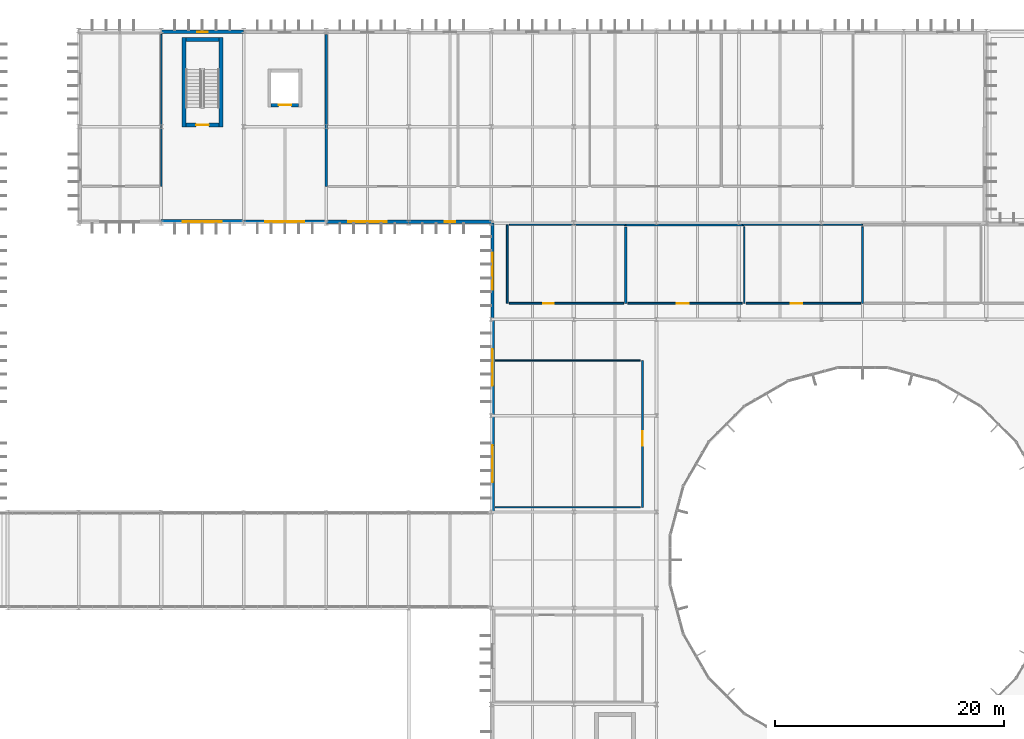
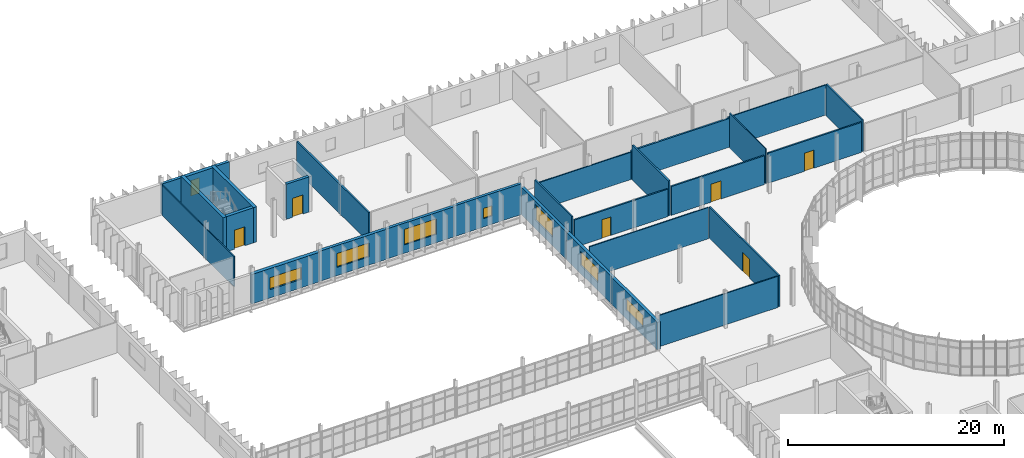
# One storey, part 98 of 119: 28 walls, 8 windows, 6 doors, 14 openings.
"""IFC4 building model written with IfcOpenShell, lengths in metres."""

from ifc_helpers import new_model, si_unit, direction, frame, frame_2d, origin, place, context, subcontext, project, spatial, rectangle, extrude, material, layer, layer_set, type_object, element, fill, save


model = new_model("IFC4")

# Units and contexts
model_context = context("Model", 3, precision=1e-05, world=origin(), true_north=direction((0.0, 1.0)))
body_context = subcontext(model_context, "Body", "Model", "MODEL_VIEW")
ifc_project = project(units=[si_unit("LENGTHUNIT", "METRE"), si_unit("AREAUNIT", "SQUARE_METRE"), si_unit("VOLUMEUNIT", "CUBIC_METRE"), si_unit("PLANEANGLEUNIT", "RADIAN"), si_unit("MASSUNIT", "GRAM", prefix="KILO")], contexts=[model_context])

# Site, building, storey
site_placement = place(None, origin())
site = spatial("IfcSite", under=ifc_project, at=site_placement, CompositionType="ELEMENT")
building_placement = place(site_placement, origin())
building = spatial("IfcBuilding", under=site, at=building_placement, Name="Qelthora Terrace Specialist Clinic", CompositionType="ELEMENT")
storey_placement = place(building_placement, frame((0.0, 0.0, 4.800048828125)))
storey = spatial("IfcBuildingStorey", under=building, at=storey_placement, Name="L01", CompositionType="ELEMENT", Elevation=4.800048828125)

# Wall, opening, door
ifc_material_1 = material(Name="Concrete C40/50", Category="concrete")
ifc_layer_1 = layer(ifc_material_1, 0.300048828125)
ifc_layer_set_1 = layer_set([ifc_layer_1], Name="Concrete C40/50")
wall_type_1 = type_object("IfcWallType", Name="WAL-CORE-300-C40", PredefinedType="SHEAR", material=ifc_layer_set_1)
wall_1_placement = place(storey_placement, frame((74.39990234375, 102.699951171875, 0.0), z_axis=(0.0, 0.0, 1.0), x_axis=(1.0, 0.0, 0.0)))
wall_1 = element("IfcWall", 1, at=wall_1_placement, inside=storey, type_object=wall_type_1, Name="Lift PL-04 L01 south shaft wall", PredefinedType="SHEAR", context=body_context, shape_type="SweptSolid", body=[
    extrude(rectangle(XDim=2.400146484375, YDim=0.300048828125, at=frame_2d((1.2001953125, 0.0))), origin(), (0.0, 0.0, 1.0), 3.969970703125),
])
opening_1_placement = place(wall_1_placement, frame((0.64990234375, 0.0, 0.0)))
opening_1 = element("IfcOpeningElement", 2, at=opening_1_placement, cuts=wall_1, Name="Opening LD-PL-04-L01", PredefinedType="OPENING", context=body_context, shape_type="SweptSolid", body=[
    extrude(rectangle(XDim=1.10009765625, YDim=2.14990234375, at=frame_2d((0.550048828125, 1.074951171875))), frame((0.0, 0.159912109375, 0.0), z_axis=(0.0, -1.0, 0.0), x_axis=(1.0, 0.0, 0.0)), (0.0, 0.0, 1.0), 0.320068359375),
])
ifc_material_2 = material(Name="Steel S355", Category="steel")
door_type_1 = type_object("IfcDoorType", Name="DOR-LIFT-1100X2150", OperationType="NOTDEFINED", PredefinedType="DOOR", material=ifc_material_2)
door_1_placement = place(opening_1_placement, origin())
door_1 = element("IfcDoor", 3, at=door_1_placement, inside=storey, type_object=door_type_1, Name="Lift landing sliding door LD-PL-04-L01", OperationType="DOUBLE_DOOR_SLIDING", OverallHeight=2.14990234375, OverallWidth=1.10009765625, PredefinedType="DOOR", context=body_context, shape_type="SweptSolid", body=[
    extrude(rectangle(XDim=1.10009765625, YDim=2.14990234375, at=frame_2d((0.550048828125, 1.074951171875))), frame((0.0, 0.02490234375, 0.0), z_axis=(0.0, -1.0, 0.0), x_axis=(1.0, 0.0, 0.0)), (0.0, 0.0, 1.0), 0.050048828125),
])
fill(opening_1, door_1)

# Walls
ifc_layer_2 = layer(ifc_material_1, 0.35009765625)
ifc_layer_set_2 = layer_set([ifc_layer_2], Name="Concrete C40/50")
wall_type_2 = type_object("IfcWallType", Name="WAL-CORE-350-C40", PredefinedType="SHEAR", material=ifc_layer_set_2)
for number, where, z_axis, x_axis, name in (
    (4, (66.77490234375, 100.800048828125, 0.0), (0.0, 0.0, 1.0), (0.0, 1.0, 0.0), "ST-07 L01 west shear core wall"),
    (5, (70.02490234375, 100.800048828125, 0.0), (0.0, 0.0, 1.0), (0.0, 1.0, 0.0), "ST-07 L01 east shear core wall"),
):
    element("IfcWall", number, at=place(storey_placement, frame(where, z_axis=z_axis, x_axis=x_axis)), inside=storey, type_object=wall_type_2, Name=name, PredefinedType="SHEAR", context=body_context, shape_type="SweptSolid", body=[
        extrude(rectangle(XDim=7.800048828125, YDim=0.35009765625, at=frame_2d((3.89990234375, 0.0))), origin(), (0.0, 0.0, 1.0), 3.969970703125),
    ])
wall_2_placement = place(storey_placement, frame((66.949951171875, 108.425048828125, 0.0), z_axis=(0.0, 0.0, 1.0), x_axis=(1.0, 0.0, 0.0)))
element("IfcWall", 6, at=wall_2_placement, inside=storey, type_object=wall_type_2, Name="ST-07 L01 north shear core wall", PredefinedType="SHEAR", context=body_context, shape_type="SweptSolid", body=[
    extrude(rectangle(XDim=2.900146484375, YDim=0.35009765625, at=frame_2d((1.4501953125, 0.0))), origin(), (0.0, 0.0, 1.0), 3.969970703125),
])

# Wall, opening, door
wall_3_placement = place(storey_placement, frame((66.949951171875, 100.97509765625, 0.0), z_axis=(0.0, 0.0, 1.0), x_axis=(1.0, 0.0, 0.0)))
wall_3 = element("IfcWall", 7, at=wall_3_placement, inside=storey, type_object=wall_type_2, Name="ST-07 L01 south shear core wall", PredefinedType="SHEAR", context=body_context, shape_type="SweptSolid", body=[
    extrude(rectangle(XDim=2.900146484375, YDim=0.35009765625, at=frame_2d((1.4501953125, 0.0))), origin(), (0.0, 0.0, 1.0), 3.969970703125),
])
opening_2_placement = place(wall_3_placement, frame((0.89990234375, 0.0, 0.0)))
opening_2 = element("IfcOpeningElement", 8, at=opening_2_placement, cuts=wall_3, Name="Opening D-ST-07-L01", PredefinedType="OPENING", context=body_context, shape_type="SweptSolid", body=[
    extrude(rectangle(XDim=1.10009765625, YDim=2.14990234375, at=frame_2d((0.550048828125, 1.074951171875))), frame((0.0, 0.18505859375, 0.0), z_axis=(0.0, -1.0, 0.0), x_axis=(1.0, 0.0, 0.0)), (0.0, 0.0, 1.0), 0.3701171875),
])
door_type_2 = type_object("IfcDoorType", Name="DOR-STAIR-1100X2150", OperationType="NOTDEFINED", PredefinedType="DOOR", material=ifc_material_2)
door_2_placement = place(opening_2_placement, origin())
door_2 = element("IfcDoor", 9, at=door_2_placement, inside=storey, type_object=door_type_2, Name="Stair fire door D-ST-07-L01", OperationType="SINGLE_SWING_RIGHT", OverallHeight=2.14990234375, OverallWidth=1.10009765625, PredefinedType="DOOR", context=body_context, shape_type="SweptSolid", body=[
    extrude(rectangle(XDim=1.10009765625, YDim=2.14990234375, at=frame_2d((0.550048828125, 1.074951171875))), frame((0.0, 0.02490234375, 0.0), z_axis=(0.0, -1.0, 0.0), x_axis=(1.0, 0.0, 0.0)), (0.0, 0.0, 1.0), 0.050048828125),
])
fill(opening_2, door_2)

# Wall, opening, window
ifc_material_3 = material(Name="Precast concrete C40/50", Category="concrete")
ifc_layer_3 = layer(ifc_material_3, 0.280029296875)
ifc_layer_set_3 = layer_set([ifc_layer_3], Name="Precast concrete C40/50")
wall_type_3 = type_object("IfcWallType", Name="WAL-EXT-280-PC40", PredefinedType="SOLIDWALL", material=ifc_layer_set_3)
wall_4_placement = place(storey_placement, frame((93.719970703125, 84.0, 0.0), z_axis=(0.0, 0.0, 1.0), x_axis=(0.0, 1.0, 0.0)))
wall_4 = element("IfcWall", 10, at=wall_4_placement, inside=storey, type_object=wall_type_3, Name="L01 external precast wall 148", PredefinedType="SOLIDWALL", context=body_context, shape_type="SweptSolid", body=[
    extrude(rectangle(XDim=8.39990234375, YDim=0.280029296875, at=frame_2d((4.199951171875, 0.0))), origin(), (0.0, 0.0, 1.0), 3.091064453125),
])
opening_3_placement = place(wall_4_placement, frame((2.60009765625, 0.0, 0.949951171875)))
opening_3 = element("IfcOpeningElement", 11, at=opening_3_placement, cuts=wall_4, Name="Opening WN-L01-120", PredefinedType="OPENING", context=body_context, shape_type="SweptSolid", body=[
    extrude(rectangle(XDim=3.199951171875, YDim=1.75, at=frame_2d((1.60009765625, 0.875))), frame((0.0, 0.14990234375, 0.0), z_axis=(0.0, -1.0, 0.0), x_axis=(1.0, 0.0, 0.0)), (0.0, 0.0, 1.0), 0.300048828125),
])
ifc_material_4 = material(Name="Low-E triple-silver insulating glass", Category="glass")
window_type_1 = type_object("IfcWindowType", Name="WIN-3200X1750", PartitioningType="DOUBLE_PANEL_VERTICAL", PredefinedType="WINDOW", material=ifc_material_4)
window_1_placement = place(opening_3_placement, origin())
window_1 = element("IfcWindow", 12, at=window_1_placement, inside=storey, type_object=window_type_1, Name="Clinical window WN-L01-120", OverallHeight=1.75, OverallWidth=3.199951171875, PartitioningType="SINGLE_PANEL", PredefinedType="WINDOW", context=body_context, shape_type="SweptSolid", body=[
    extrude(rectangle(XDim=3.199951171875, YDim=1.75, at=frame_2d((1.60009765625, 0.875))), frame((0.0, 0.030029296875, 0.0), z_axis=(0.0, -1.0, 0.0), x_axis=(1.0, 0.0, 0.0)), (0.0, 0.0, 1.0), 0.06005859375),
])
fill(opening_3, window_1)

wall_5_placement = place(storey_placement, frame((86.39990234375, 92.52001953125, 0.0), z_axis=(0.0, 0.0, 1.0), x_axis=(1.0, 0.0, 0.0)))
wall_5 = element("IfcWall", 13, at=wall_5_placement, inside=storey, type_object=wall_type_3, Name="L01 external precast wall 153", PredefinedType="SOLIDWALL", context=body_context, shape_type="SweptSolid", body=[
    extrude(rectangle(XDim=7.2001953125, YDim=0.280029296875, at=frame_2d((3.60009765625, 0.0))), origin(), (0.0, 0.0, 1.0), 3.475830078125),
])
opening_4_placement = place(wall_5_placement, frame((3.14990234375, 0.0, 0.949951171875)))
opening_4 = element("IfcOpeningElement", 14, at=opening_4_placement, cuts=wall_5, Name="Opening WN-L01-125", PredefinedType="OPENING", context=body_context, shape_type="SweptSolid", body=[
    extrude(rectangle(XDim=0.89990234375, YDim=1.14990234375, at=frame_2d((0.449951171875, 0.574951171875))), frame((0.0, 0.14990234375, 0.0), z_axis=(0.0, -1.0, 0.0), x_axis=(1.0, 0.0, 0.0)), (0.0, 0.0, 1.0), 0.300048828125),
])
window_type_2 = type_object("IfcWindowType", Name="WIN-900X1150", PartitioningType="SINGLE_PANEL", PredefinedType="WINDOW", material=ifc_material_4)
window_2_placement = place(opening_4_placement, origin())
window_2 = element("IfcWindow", 15, at=window_2_placement, inside=storey, type_object=window_type_2, Name="Clinical window WN-L01-125", OverallHeight=1.14990234375, OverallWidth=0.89990234375, PartitioningType="SINGLE_PANEL", PredefinedType="WINDOW", context=body_context, shape_type="SweptSolid", body=[
    extrude(rectangle(XDim=0.89990234375, YDim=1.14990234375, at=frame_2d((0.449951171875, 0.574951171875))), frame((0.0, 0.030029296875, 0.0), z_axis=(0.0, -1.0, 0.0), x_axis=(1.0, 0.0, 0.0)), (0.0, 0.0, 1.0), 0.06005859375),
])
fill(opening_4, window_2)

ifc_layer_4 = layer(ifc_material_3, 0.300048828125)
ifc_layer_set_4 = layer_set([ifc_layer_4], Name="Precast concrete C40/50")
wall_type_4 = type_object("IfcWallType", Name="WAL-EXT-300-PC40", PredefinedType="SOLIDWALL", material=ifc_layer_set_4)
wall_6_placement = place(storey_placement, frame((93.719970703125, 75.60009765625, 0.0), z_axis=(0.0, 0.0, 1.0), x_axis=(0.0, 1.0, 0.0)))
wall_6 = element("IfcWall", 16, at=wall_6_placement, inside=storey, type_object=wall_type_4, Name="L01 external precast wall 147", PredefinedType="SOLIDWALL", context=body_context, shape_type="SweptSolid", body=[
    extrude(rectangle(XDim=8.39990234375, YDim=0.300048828125, at=frame_2d((4.199951171875, 0.0))), origin(), (0.0, 0.0, 1.0), 3.091064453125),
])
opening_5_placement = place(wall_6_placement, frame((2.60009765625, 0.0, 0.949951171875)))
opening_5 = element("IfcOpeningElement", 17, at=opening_5_placement, cuts=wall_6, Name="Opening WN-L01-119", PredefinedType="OPENING", context=body_context, shape_type="SweptSolid", body=[
    extrude(rectangle(XDim=3.199951171875, YDim=1.550048828125, at=frame_2d((1.60009765625, 0.77490234375))), frame((0.0, 0.159912109375, 0.0), z_axis=(0.0, -1.0, 0.0), x_axis=(1.0, 0.0, 0.0)), (0.0, 0.0, 1.0), 0.320068359375),
])
window_type_3 = type_object("IfcWindowType", Name="WIN-3200X1550", PartitioningType="DOUBLE_PANEL_VERTICAL", PredefinedType="WINDOW", material=ifc_material_4)
window_3_placement = place(opening_5_placement, origin())
window_3 = element("IfcWindow", 18, at=window_3_placement, inside=storey, type_object=window_type_3, Name="Clinical window WN-L01-119", OverallHeight=1.550048828125, OverallWidth=3.199951171875, PartitioningType="SINGLE_PANEL", PredefinedType="WINDOW", context=body_context, shape_type="SweptSolid", body=[
    extrude(rectangle(XDim=3.199951171875, YDim=1.550048828125, at=frame_2d((1.60009765625, 0.77490234375))), frame((0.0, 0.030029296875, 0.0), z_axis=(0.0, -1.0, 0.0), x_axis=(1.0, 0.0, 0.0)), (0.0, 0.0, 1.0), 0.06005859375),
])
fill(opening_5, window_3)

wall_7_placement = place(storey_placement, frame((79.199951171875, 92.52001953125, 0.0), z_axis=(0.0, 0.0, 1.0), x_axis=(1.0, 0.0, 0.0)))
wall_7 = element("IfcWall", 19, at=wall_7_placement, inside=storey, type_object=wall_type_4, Name="L01 external precast wall 152", PredefinedType="SOLIDWALL", context=body_context, shape_type="SweptSolid", body=[
    extrude(rectangle(XDim=7.199951171875, YDim=0.300048828125, at=frame_2d((3.60009765625, 0.0))), origin(), (0.0, 0.0, 1.0), 3.405029296875),
])
opening_6_placement = place(wall_7_placement, frame((1.89990234375, 0.0, 0.949951171875)))
opening_6 = element("IfcOpeningElement", 20, at=opening_6_placement, cuts=wall_7, Name="Opening WN-L01-124", PredefinedType="OPENING", context=body_context, shape_type="SweptSolid", body=[
    extrude(rectangle(XDim=3.39990234375, YDim=1.75, at=frame_2d((1.699951171875, 0.875))), frame((0.0, 0.159912109375, 0.0), z_axis=(0.0, -1.0, 0.0), x_axis=(1.0, 0.0, 0.0)), (0.0, 0.0, 1.0), 0.320068359375),
])
window_type_4 = type_object("IfcWindowType", Name="WIN-3400X1750", PartitioningType="DOUBLE_PANEL_VERTICAL", PredefinedType="WINDOW", material=ifc_material_4)
window_4_placement = place(opening_6_placement, origin())
window_4 = element("IfcWindow", 21, at=window_4_placement, inside=storey, type_object=window_type_4, Name="Clinical window WN-L01-124", OverallHeight=1.75, OverallWidth=3.39990234375, PartitioningType="SINGLE_PANEL", PredefinedType="WINDOW", context=body_context, shape_type="SweptSolid", body=[
    extrude(rectangle(XDim=3.39990234375, YDim=1.75, at=frame_2d((1.699951171875, 0.875))), frame((0.0, 0.030029296875, 0.0), z_axis=(0.0, -1.0, 0.0), x_axis=(1.0, 0.0, 0.0)), (0.0, 0.0, 1.0), 0.06005859375),
])
fill(opening_6, window_4)

wall_8_placement = place(storey_placement, frame((64.800048828125, 109.080078125, 0.0), z_axis=(0.0, 0.0, 1.0), x_axis=(1.0, 0.0, 0.0)))
wall_8 = element("IfcWall", 22, at=wall_8_placement, inside=storey, type_object=wall_type_4, Name="L01 external precast wall 157", PredefinedType="SOLIDWALL", context=body_context, shape_type="SweptSolid", body=[
    extrude(rectangle(XDim=7.199951171875, YDim=0.300048828125, at=frame_2d((3.60009765625, 0.0))), origin(), (0.0, 0.0, 1.0), 3.48193359375),
])
opening_7_placement = place(wall_8_placement, frame((3.14990234375, 0.0, 0.949951171875)))
opening_7 = element("IfcOpeningElement", 23, at=opening_7_placement, cuts=wall_8, Name="Opening WN-L01-128", PredefinedType="OPENING", context=body_context, shape_type="SweptSolid", body=[
    extrude(rectangle(XDim=0.89990234375, YDim=1.75, at=frame_2d((0.449951171875, 0.875))), frame((0.0, 0.159912109375, 0.0), z_axis=(0.0, -1.0, 0.0), x_axis=(1.0, 0.0, 0.0)), (0.0, 0.0, 1.0), 0.320068359375),
])
window_type_5 = type_object("IfcWindowType", Name="WIN-900X1750", PartitioningType="SINGLE_PANEL", PredefinedType="WINDOW", material=ifc_material_4)
window_5_placement = place(opening_7_placement, origin())
window_5 = element("IfcWindow", 24, at=window_5_placement, inside=storey, type_object=window_type_5, Name="Clinical window WN-L01-128", OverallHeight=1.75, OverallWidth=0.89990234375, PartitioningType="SINGLE_PANEL", PredefinedType="WINDOW", context=body_context, shape_type="SweptSolid", body=[
    extrude(rectangle(XDim=0.89990234375, YDim=1.75, at=frame_2d((0.449951171875, 0.875))), frame((0.0, 0.030029296875, 0.0), z_axis=(0.0, -1.0, 0.0), x_axis=(1.0, 0.0, 0.0)), (0.0, 0.0, 1.0), 0.06005859375),
])
fill(opening_7, window_5)

ifc_layer_5 = layer(ifc_material_3, 0.320068359375)
ifc_layer_set_5 = layer_set([ifc_layer_5], Name="Precast concrete C40/50")
wall_type_5 = type_object("IfcWallType", Name="WAL-EXT-320-PC40", PredefinedType="SOLIDWALL", material=ifc_layer_set_5)
wall_9_placement = place(storey_placement, frame((93.719970703125, 67.199951171875, 0.0), z_axis=(0.0, 0.0, 1.0), x_axis=(0.0, 1.0, 0.0)))
wall_9 = element("IfcWall", 25, at=wall_9_placement, inside=storey, type_object=wall_type_5, Name="L01 external precast wall 146", PredefinedType="SOLIDWALL", context=body_context, shape_type="SweptSolid", body=[
    extrude(rectangle(XDim=8.400146484375, YDim=0.320068359375, at=frame_2d((4.2001953125, 0.0))), origin(), (0.0, 0.0, 1.0), 3.091064453125),
])
opening_8_placement = place(wall_9_placement, frame((2.60009765625, 0.0, 0.949951171875)))
opening_8 = element("IfcOpeningElement", 26, at=opening_8_placement, cuts=wall_9, Name="Opening WN-L01-118", PredefinedType="OPENING", context=body_context, shape_type="SweptSolid", body=[
    extrude(rectangle(XDim=3.199951171875, YDim=1.35009765625, at=frame_2d((1.60009765625, 0.675048828125))), frame((0.0, 0.169921875, 0.0), z_axis=(0.0, -1.0, 0.0), x_axis=(1.0, 0.0, 0.0)), (0.0, 0.0, 1.0), 0.340087890625),
])
window_type_6 = type_object("IfcWindowType", Name="WIN-3200X1350", PartitioningType="DOUBLE_PANEL_VERTICAL", PredefinedType="WINDOW", material=ifc_material_4)
window_6_placement = place(opening_8_placement, origin())
window_6 = element("IfcWindow", 27, at=window_6_placement, inside=storey, type_object=window_type_6, Name="Clinical window WN-L01-118", OverallHeight=1.35009765625, OverallWidth=3.199951171875, PartitioningType="SINGLE_PANEL", PredefinedType="WINDOW", context=body_context, shape_type="SweptSolid", body=[
    extrude(rectangle(XDim=3.199951171875, YDim=1.35009765625, at=frame_2d((1.60009765625, 0.675048828125))), frame((0.0, 0.030029296875, 0.0), z_axis=(0.0, -1.0, 0.0), x_axis=(1.0, 0.0, 0.0)), (0.0, 0.0, 1.0), 0.06005859375),
])
fill(opening_8, window_6)

wall_10_placement = place(storey_placement, frame((72.0, 92.52001953125, 0.0), z_axis=(0.0, 0.0, 1.0), x_axis=(1.0, 0.0, 0.0)))
wall_10 = element("IfcWall", 28, at=wall_10_placement, inside=storey, type_object=wall_type_5, Name="L01 external precast wall 151", PredefinedType="SOLIDWALL", context=body_context, shape_type="SweptSolid", body=[
    extrude(rectangle(XDim=7.199951171875, YDim=0.320068359375, at=frame_2d((3.60009765625, 0.0))), origin(), (0.0, 0.0, 1.0), 3.39794921875),
])
opening_9_placement = place(wall_10_placement, frame((1.89990234375, 0.0, 0.949951171875)))
opening_9 = element("IfcOpeningElement", 29, at=opening_9_placement, cuts=wall_10, Name="Opening WN-L01-123", PredefinedType="OPENING", context=body_context, shape_type="SweptSolid", body=[
    extrude(rectangle(XDim=3.39990234375, YDim=1.550048828125, at=frame_2d((1.699951171875, 0.77490234375))), frame((0.0, 0.169921875, 0.0), z_axis=(0.0, -1.0, 0.0), x_axis=(1.0, 0.0, 0.0)), (0.0, 0.0, 1.0), 0.340087890625),
])
window_type_7 = type_object("IfcWindowType", Name="WIN-3400X1550", PartitioningType="DOUBLE_PANEL_VERTICAL", PredefinedType="WINDOW", material=ifc_material_4)
window_7_placement = place(opening_9_placement, origin())
window_7 = element("IfcWindow", 30, at=window_7_placement, inside=storey, type_object=window_type_7, Name="Clinical window WN-L01-123", OverallHeight=1.550048828125, OverallWidth=3.39990234375, PartitioningType="SINGLE_PANEL", PredefinedType="WINDOW", context=body_context, shape_type="SweptSolid", body=[
    extrude(rectangle(XDim=3.39990234375, YDim=1.550048828125, at=frame_2d((1.699951171875, 0.77490234375))), frame((0.0, 0.030029296875, 0.0), z_axis=(0.0, -1.0, 0.0), x_axis=(1.0, 0.0, 0.0)), (0.0, 0.0, 1.0), 0.06005859375),
])
fill(opening_9, window_7)

ifc_layer_6 = layer(ifc_material_3, 0.3798828125)
ifc_layer_set_6 = layer_set([ifc_layer_6], Name="Precast concrete C40/50")
wall_type_6 = type_object("IfcWallType", Name="WAL-EXT-380-PC40", PredefinedType="SOLIDWALL", material=ifc_layer_set_6)
wall_11_placement = place(storey_placement, frame((64.800048828125, 92.52001953125, 0.0), z_axis=(0.0, 0.0, 1.0), x_axis=(1.0, 0.0, 0.0)))
wall_11 = element("IfcWall", 31, at=wall_11_placement, inside=storey, type_object=wall_type_6, Name="L01 external precast wall 150", PredefinedType="SOLIDWALL", context=body_context, shape_type="SweptSolid", body=[
    extrude(rectangle(XDim=7.199951171875, YDim=0.3798828125, at=frame_2d((3.60009765625, 0.0))), origin(), (0.0, 0.0, 1.0), 3.329833984375),
])
opening_10_placement = place(wall_11_placement, frame((1.89990234375, 0.0, 0.949951171875)))
opening_10 = element("IfcOpeningElement", 32, at=opening_10_placement, cuts=wall_11, Name="Opening WN-L01-122", PredefinedType="OPENING", context=body_context, shape_type="SweptSolid", body=[
    extrude(rectangle(XDim=3.39990234375, YDim=1.35009765625, at=frame_2d((1.699951171875, 0.675048828125))), frame((0.0, 0.199951171875, 0.0), z_axis=(0.0, -1.0, 0.0), x_axis=(1.0, 0.0, 0.0)), (0.0, 0.0, 1.0), 0.39990234375),
])
window_type_8 = type_object("IfcWindowType", Name="WIN-3400X1350", PartitioningType="DOUBLE_PANEL_VERTICAL", PredefinedType="WINDOW", material=ifc_material_4)
window_8_placement = place(opening_10_placement, origin())
window_8 = element("IfcWindow", 33, at=window_8_placement, inside=storey, type_object=window_type_8, Name="Clinical window WN-L01-122", OverallHeight=1.35009765625, OverallWidth=3.39990234375, PartitioningType="SINGLE_PANEL", PredefinedType="WINDOW", context=body_context, shape_type="SweptSolid", body=[
    extrude(rectangle(XDim=3.39990234375, YDim=1.35009765625, at=frame_2d((1.699951171875, 0.675048828125))), frame((0.0, 0.030029296875, 0.0), z_axis=(0.0, -1.0, 0.0), x_axis=(1.0, 0.0, 0.0)), (0.0, 0.0, 1.0), 0.06005859375),
])
fill(opening_10, window_8)

# Walls
ifc_material_5 = material(Name="Gypsum acoustic wallboard", Category="gypsum")
ifc_layer_7 = layer(ifc_material_5, 0.139892578125)
ifc_layer_set_7 = layer_set([ifc_layer_7], Name="Gypsum acoustic wallboard")
wall_type_7 = type_object("IfcWallType", Name="WAL-INT-ACU-140", PredefinedType="PARTITIONING", material=ifc_layer_set_7)
wall_12_placement = place(storey_placement, frame((95.0, 85.39990234375, 0.0), z_axis=(0.0, 0.0, 1.0), x_axis=(0.0, 1.0, 0.0)))
element("IfcWall", 34, at=wall_12_placement, inside=storey, type_object=wall_type_7, Name="Interior clinical partition IWAL-L01-0190", PredefinedType="PARTITIONING", context=body_context, shape_type="SweptSolid", body=[
    extrude(rectangle(XDim=6.85009765625, YDim=0.139892578125, at=frame_2d((3.425048828125, 0.0))), origin(), (0.0, 0.0, 1.0), 3.531982421875),
])
ifc_material_6 = material(Name="Gypsum fire-rated wallboard", Category="gypsum")
ifc_layer_8 = layer(ifc_material_6, 0.179931640625)
ifc_layer_set_8 = layer_set([ifc_layer_8], Name="Gypsum fire-rated wallboard")
wall_type_8 = type_object("IfcWallType", Name="WAL-INT-CLN-180", PredefinedType="PARTITIONING", material=ifc_layer_set_8)
wall_13_placement = place(storey_placement, frame((105.333251953125, 92.070068359375, 0.0), z_axis=(0.0, 0.0, 1.0), x_axis=(0.0, -1.0, 0.0)))
element("IfcWall", 35, at=wall_13_placement, inside=storey, type_object=wall_type_8, Name="Interior clinical partition IWAL-L01-0192", PredefinedType="PARTITIONING", context=body_context, shape_type="SweptSolid", body=[
    extrude(rectangle(XDim=6.670166015625, YDim=0.179931640625, at=frame_2d((3.3349609375, 0.0))), origin(), (0.0, 0.0, 1.0), 3.945068359375),
])
wall_14_placement = place(storey_placement, frame((105.1982421875, 92.25, 0.0), z_axis=(0.0, 0.0, 1.0), x_axis=(1.0, 0.0, 0.0)))
element("IfcWall", 36, at=wall_14_placement, inside=storey, type_object=wall_type_8, Name="Interior clinical partition IWAL-L01-0194", PredefinedType="PARTITIONING", context=body_context, shape_type="SweptSolid", body=[
    extrude(rectangle(XDim=10.468505859375, YDim=0.179931640625, at=frame_2d((5.234375, 0.0))), origin(), (0.0, 0.0, 1.0), 3.251953125),
])
wall_15_placement = place(storey_placement, frame((79.199951171875, 95.60009765625, 0.0), z_axis=(0.0, 0.0, 1.0), x_axis=(0.0, 1.0, 0.0)))
element("IfcWall", 37, at=wall_15_placement, inside=storey, type_object=wall_type_8, Name="Interior clinical partition IWAL-L01-0233", PredefinedType="PARTITIONING", context=body_context, shape_type="SweptSolid", body=[
    extrude(rectangle(XDim=13.260009765625, YDim=0.179931640625, at=frame_2d((6.6298828125, 0.0))), origin(), (0.0, 0.0, 1.0), 3.327880859375),
])

# Wall, opening, door
ifc_layer_9 = layer(ifc_material_6, 0.159912109375)
ifc_layer_set_9 = layer_set([ifc_layer_9], Name="Gypsum fire-rated wallboard")
wall_type_9 = type_object("IfcWallType", Name="WAL-INT-COR-160", PredefinedType="PARTITIONING", material=ifc_layer_set_9)
wall_16_placement = place(storey_placement, frame((105.1533203125, 85.39990234375, 0.0), z_axis=(0.0, 0.0, 1.0), x_axis=(-1.0, 0.0, 0.0)))
wall_16 = element("IfcWall", 38, at=wall_16_placement, inside=storey, type_object=wall_type_9, Name="Interior clinical partition IWAL-L01-0193", PredefinedType="PARTITIONING", context=body_context, shape_type="SweptSolid", body=[
    extrude(rectangle(XDim=9.973388671875, YDim=0.159912109375, at=frame_2d((4.98681640625, 0.0))), origin(), (0.0, 0.0, 1.0), 3.093994140625),
])
opening_11_placement = place(wall_16_placement, frame((6.086669921875, 0.0, 0.0)))
opening_11 = element("IfcOpeningElement", 39, at=opening_11_placement, cuts=wall_16, Name="Opening DI-L01-0078", PredefinedType="OPENING", context=body_context, shape_type="SweptSolid", body=[
    extrude(rectangle(XDim=0.919921875, YDim=2.10009765625, at=frame_2d((0.4599609375, 1.050048828125))), frame((0.0, 0.08984375, 0.0), z_axis=(0.0, -1.0, 0.0), x_axis=(1.0, 0.0, 0.0)), (0.0, 0.0, 1.0), 0.179931640625),
])
ifc_material_7 = material(Name="Glulam timber GL28h", Category="wood")
door_type_3 = type_object("IfcDoorType", Name="DOR-CON-920X2100", OperationType="NOTDEFINED", PredefinedType="DOOR", material=ifc_material_7)
door_3_placement = place(opening_11_placement, frame((0.919921875, 0.0, 0.0), z_axis=(0.0, 0.0, 1.0), x_axis=(-1.0, 0.0, 0.0)))
door_3 = element("IfcDoor", 40, at=door_3_placement, inside=storey, type_object=door_type_3, Name="Interior clinical door DI-L01-0078", OperationType="SINGLE_SWING_LEFT", OverallHeight=2.10009765625, OverallWidth=0.919921875, PredefinedType="DOOR", context=body_context, shape_type="SweptSolid", body=[
    extrude(rectangle(XDim=0.919921875, YDim=2.10009765625, at=frame_2d((0.4599609375, 1.050048828125))), frame((0.0, 0.02490234375, 0.0), z_axis=(0.0, -1.0, 0.0), x_axis=(1.0, 0.0, 0.0)), (0.0, 0.0, 1.0), 0.050048828125),
])
fill(opening_11, door_3)

wall_17_placement = place(storey_placement, frame((115.48681640625, 85.39990234375, 0.0), z_axis=(0.0, 0.0, 1.0), x_axis=(-1.0, 0.0, 0.0)))
wall_17 = element("IfcWall", 41, at=wall_17_placement, inside=storey, type_object=wall_type_9, Name="Interior clinical partition IWAL-L01-0196", PredefinedType="PARTITIONING", context=body_context, shape_type="SweptSolid", body=[
    extrude(rectangle(XDim=9.9736328125, YDim=0.159912109375, at=frame_2d((4.98681640625, 0.0))), origin(), (0.0, 0.0, 1.0), 3.251953125),
])
opening_12_placement = place(wall_17_placement, frame((4.65673828125, 0.0, 0.0)))
opening_12 = element("IfcOpeningElement", 42, at=opening_12_placement, cuts=wall_17, Name="Opening DI-L01-0079", PredefinedType="OPENING", context=body_context, shape_type="SweptSolid", body=[
    extrude(rectangle(XDim=1.06005859375, YDim=2.050048828125, at=frame_2d((0.530029296875, 1.02490234375))), frame((0.0, 0.08984375, 0.0), z_axis=(0.0, -1.0, 0.0), x_axis=(1.0, 0.0, 0.0)), (0.0, 0.0, 1.0), 0.179931640625),
])
door_type_4 = type_object("IfcDoorType", Name="DOR-CON-1060X2050", OperationType="NOTDEFINED", PredefinedType="DOOR", material=ifc_material_7)
door_4_placement = place(opening_12_placement, frame((1.06005859375, 0.0, 0.0), z_axis=(0.0, 0.0, 1.0), x_axis=(-1.0, 0.0, 0.0)))
door_4 = element("IfcDoor", 43, at=door_4_placement, inside=storey, type_object=door_type_4, Name="Interior clinical door DI-L01-0079", OperationType="SINGLE_SWING_RIGHT", OverallHeight=2.050048828125, OverallWidth=1.06005859375, PredefinedType="DOOR", context=body_context, shape_type="SweptSolid", body=[
    extrude(rectangle(XDim=1.06005859375, YDim=2.050048828125, at=frame_2d((0.530029296875, 1.02490234375))), frame((0.0, 0.02490234375, 0.0), z_axis=(0.0, -1.0, 0.0), x_axis=(1.0, 0.0, 0.0)), (0.0, 0.0, 1.0), 0.050048828125),
])
fill(opening_12, door_4)

wall_18_placement = place(storey_placement, frame((125.820068359375, 85.39990234375, 0.0), z_axis=(0.0, 0.0, 1.0), x_axis=(-1.0, 0.0, 0.0)))
wall_18 = element("IfcWall", 44, at=wall_18_placement, inside=storey, type_object=wall_type_9, Name="Interior clinical partition IWAL-L01-0199", PredefinedType="PARTITIONING", context=body_context, shape_type="SweptSolid", body=[
    extrude(rectangle(XDim=9.973388671875, YDim=0.159912109375, at=frame_2d((4.98681640625, 0.0))), origin(), (0.0, 0.0, 1.0), 3.40087890625),
])
opening_13_placement = place(wall_18_placement, frame((5.07666015625, 0.0, 0.0)))
opening_13 = element("IfcOpeningElement", 45, at=opening_13_placement, cuts=wall_18, Name="Opening DI-L01-0080", PredefinedType="OPENING", context=body_context, shape_type="SweptSolid", body=[
    extrude(rectangle(XDim=1.02001953125, YDim=2.050048828125, at=frame_2d((0.510009765625, 1.02490234375))), frame((0.0, 0.08984375, 0.0), z_axis=(0.0, -1.0, 0.0), x_axis=(1.0, 0.0, 0.0)), (0.0, 0.0, 1.0), 0.179931640625),
])
door_type_5 = type_object("IfcDoorType", Name="DOR-CON-1020X2050", OperationType="NOTDEFINED", PredefinedType="DOOR", material=ifc_material_7)
door_5_placement = place(opening_13_placement, frame((1.02001953125, 0.0, 0.0), z_axis=(0.0, 0.0, 1.0), x_axis=(-1.0, 0.0, 0.0)))
door_5 = element("IfcDoor", 46, at=door_5_placement, inside=storey, type_object=door_type_5, Name="Interior clinical door DI-L01-0080", OperationType="SINGLE_SWING_LEFT", OverallHeight=2.050048828125, OverallWidth=1.02001953125, PredefinedType="DOOR", context=body_context, shape_type="SweptSolid", body=[
    extrude(rectangle(XDim=1.02001953125, YDim=2.050048828125, at=frame_2d((0.510009765625, 1.02490234375))), frame((0.0, 0.02490234375, 0.0), z_axis=(0.0, -1.0, 0.0), x_axis=(1.0, 0.0, 0.0)), (0.0, 0.0, 1.0), 0.050048828125),
])
fill(opening_13, door_5)

wall_19_placement = place(storey_placement, frame((106.800048828125, 80.39990234375, 0.0), z_axis=(0.0, 0.0, 1.0), x_axis=(0.0, -1.0, 0.0)))
wall_19 = element("IfcWall", 47, at=wall_19_placement, inside=storey, type_object=wall_type_9, Name="Interior clinical partition IWAL-L01-0208", PredefinedType="PARTITIONING", context=body_context, shape_type="SweptSolid", body=[
    extrude(rectangle(XDim=12.7998046875, YDim=0.159912109375, at=frame_2d((6.39990234375, 0.0))), origin(), (0.0, 0.0, 1.0), 3.534912109375),
])
opening_14_placement = place(wall_19_placement, frame((6.14990234375, 0.0, 0.0)))
opening_14 = element("IfcOpeningElement", 48, at=opening_14_placement, cuts=wall_19, Name="Opening DI-L01-0084", PredefinedType="OPENING", context=body_context, shape_type="SweptSolid", body=[
    extrude(rectangle(XDim=1.300048828125, YDim=2.14990234375, at=frame_2d((0.64990234375, 1.074951171875))), frame((0.0, 0.08984375, 0.0), z_axis=(0.0, -1.0, 0.0), x_axis=(1.0, 0.0, 0.0)), (0.0, 0.0, 1.0), 0.179931640625),
])
door_type_6 = type_object("IfcDoorType", Name="DOR-REC-1300X2150", OperationType="NOTDEFINED", PredefinedType="DOOR", material=ifc_material_7)
door_6_placement = place(opening_14_placement, frame((1.300048828125, 0.0, 0.0), z_axis=(0.0, 0.0, 1.0), x_axis=(-1.0, 0.0, 0.0)))
door_6 = element("IfcDoor", 49, at=door_6_placement, inside=storey, type_object=door_type_6, Name="Interior clinical door DI-L01-0084", OperationType="SINGLE_SWING_LEFT", OverallHeight=2.14990234375, OverallWidth=1.300048828125, PredefinedType="DOOR", context=body_context, shape_type="SweptSolid", body=[
    extrude(rectangle(XDim=1.300048828125, YDim=2.14990234375, at=frame_2d((0.64990234375, 1.074951171875))), frame((0.0, 0.02490234375, 0.0), z_axis=(0.0, -1.0, 0.0), x_axis=(1.0, 0.0, 0.0)), (0.0, 0.0, 1.0), 0.050048828125),
])
fill(opening_14, door_6)

# Walls
ifc_layer_10 = layer(ifc_material_4, 0.110107421875)
ifc_layer_set_10 = layer_set([ifc_layer_10], Name="Low-E triple-silver insulating glass")
wall_type_10 = type_object("IfcWallType", Name="WAL-INT-GLA-110", PredefinedType="MOVABLE", material=ifc_layer_set_10)
wall_20_placement = place(storey_placement, frame((115.666748046875, 92.070068359375, 0.0), z_axis=(0.0, 0.0, 1.0), x_axis=(0.0, -1.0, 0.0)))
element("IfcWall", 50, at=wall_20_placement, inside=storey, type_object=wall_type_10, Name="Interior clinical partition IWAL-L01-0195", PredefinedType="MOVABLE", context=body_context, shape_type="SweptSolid", body=[
    extrude(rectangle(XDim=6.670166015625, YDim=0.110107421875, at=frame_2d((3.3349609375, 0.0))), origin(), (0.0, 0.0, 1.0), 3.945068359375),
])
wall_21_placement = place(storey_placement, frame((115.53173828125, 92.25, 0.0), z_axis=(0.0, 0.0, 1.0), x_axis=(1.0, 0.0, 0.0)))
element("IfcWall", 51, at=wall_21_placement, inside=storey, type_object=wall_type_10, Name="Interior clinical partition IWAL-L01-0197", PredefinedType="MOVABLE", context=body_context, shape_type="SweptSolid", body=[
    extrude(rectangle(XDim=10.46826171875, YDim=0.110107421875, at=frame_2d((5.234130859375, 0.0))), origin(), (0.0, 0.0, 1.0), 3.40087890625),
])
wall_22_placement = place(storey_placement, frame((93.93994140625, 80.39990234375, 0.0), z_axis=(0.0, 0.0, 1.0), x_axis=(1.0, 0.0, 0.0)))
element("IfcWall", 52, at=wall_22_placement, inside=storey, type_object=wall_type_10, Name="Interior clinical partition IWAL-L01-0210", PredefinedType="MOVABLE", context=body_context, shape_type="SweptSolid", body=[
    extrude(rectangle(XDim=12.68017578125, YDim=0.110107421875, at=frame_2d((6.340087890625, 0.0))), origin(), (0.0, 0.0, 1.0), 3.534912109375),
])
wall_23_placement = place(storey_placement, frame((64.800048828125, 108.860107421875, 0.0), z_axis=(0.0, 0.0, 1.0), x_axis=(0.0, -1.0, 0.0)))
element("IfcWall", 53, at=wall_23_placement, inside=storey, type_object=wall_type_10, Name="Interior clinical partition IWAL-L01-0243", PredefinedType="MOVABLE", context=body_context, shape_type="SweptSolid", body=[
    extrude(rectangle(XDim=13.260009765625, YDim=0.110107421875, at=frame_2d((6.6298828125, 0.0))), origin(), (0.0, 0.0, 1.0), 3.407958984375),
])
ifc_layer_11 = layer(ifc_material_5, 0.1201171875)
ifc_layer_set_11 = layer_set([ifc_layer_11], Name="Gypsum acoustic wallboard")
wall_type_11 = type_object("IfcWallType", Name="WAL-INT-STD-120", PredefinedType="PARTITIONING", material=ifc_layer_set_11)
wall_24_placement = place(storey_placement, frame((95.179931640625, 92.25, 0.0), z_axis=(0.0, 0.0, 1.0), x_axis=(1.0, 0.0, 0.0)))
element("IfcWall", 54, at=wall_24_placement, inside=storey, type_object=wall_type_11, Name="Interior clinical partition IWAL-L01-0191", PredefinedType="PARTITIONING", context=body_context, shape_type="SweptSolid", body=[
    extrude(rectangle(XDim=10.1533203125, YDim=0.1201171875, at=frame_2d((5.07666015625, 0.0))), origin(), (0.0, 0.0, 1.0), 3.093994140625),
])
wall_25_placement = place(storey_placement, frame((106.6201171875, 67.60009765625, 0.0), z_axis=(0.0, 0.0, 1.0), x_axis=(-1.0, 0.0, 0.0)))
element("IfcWall", 55, at=wall_25_placement, inside=storey, type_object=wall_type_11, Name="Interior clinical partition IWAL-L01-0209", PredefinedType="PARTITIONING", context=body_context, shape_type="SweptSolid", body=[
    extrude(rectangle(XDim=12.68017578125, YDim=0.1201171875, at=frame_2d((6.340087890625, 0.0))), origin(), (0.0, 0.0, 1.0), 3.531982421875),
])
ifc_material_8 = material(Name="Gypsum moisture-resistant", Category="gypsum")
ifc_layer_12 = layer(ifc_material_8, 0.14990234375)
ifc_layer_set_12 = layer_set([ifc_layer_12], Name="Gypsum moisture-resistant")
wall_type_12 = type_object("IfcWallType", Name="WAL-INT-WET-150", PredefinedType="PLUMBINGWALL", material=ifc_layer_set_12)
wall_26_placement = place(storey_placement, frame((126.0, 92.070068359375, 0.0), z_axis=(0.0, 0.0, 1.0), x_axis=(0.0, -1.0, 0.0)))
element("IfcWall", 56, at=wall_26_placement, inside=storey, type_object=wall_type_12, Name="Interior clinical partition IWAL-L01-0198", PredefinedType="PLUMBINGWALL", context=body_context, shape_type="SweptSolid", body=[
    extrude(rectangle(XDim=6.670166015625, YDim=0.14990234375, at=frame_2d((3.3349609375, 0.0))), origin(), (0.0, 0.0, 1.0), 3.5869140625),
])

save(model, "model.ifc")
